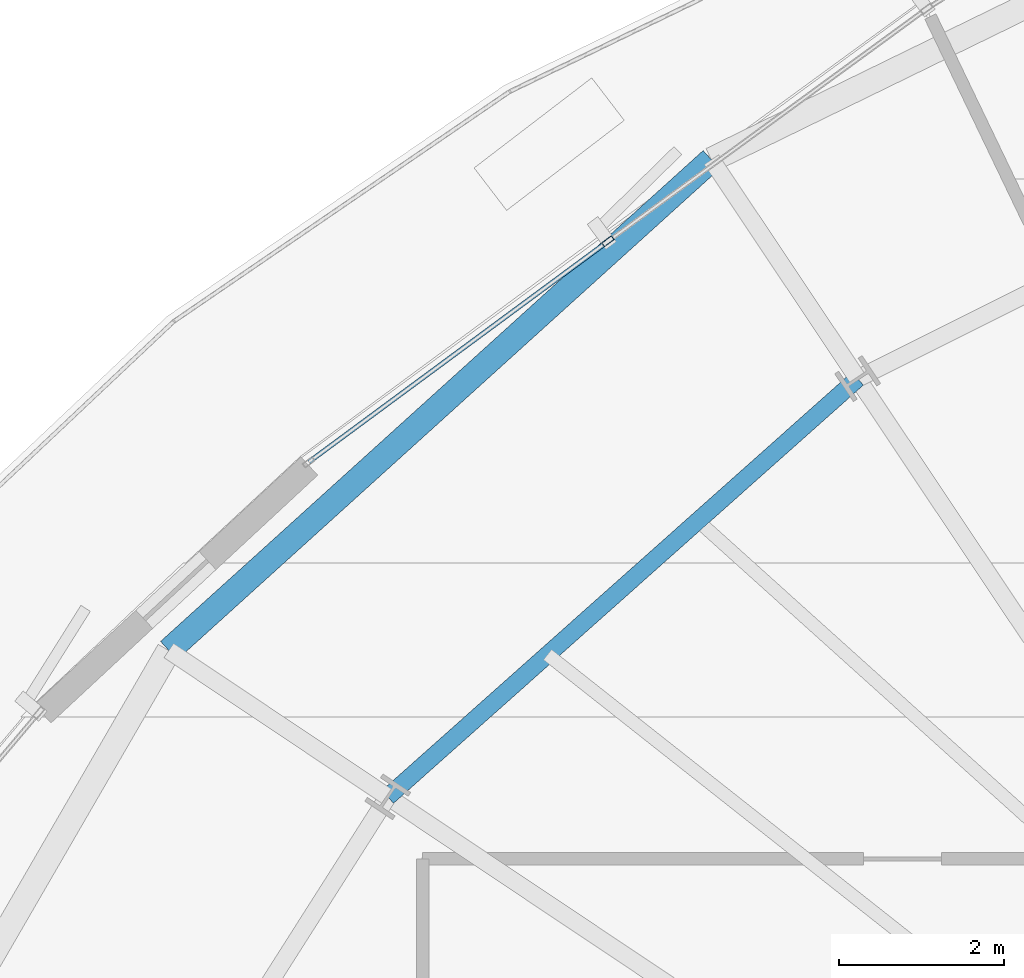
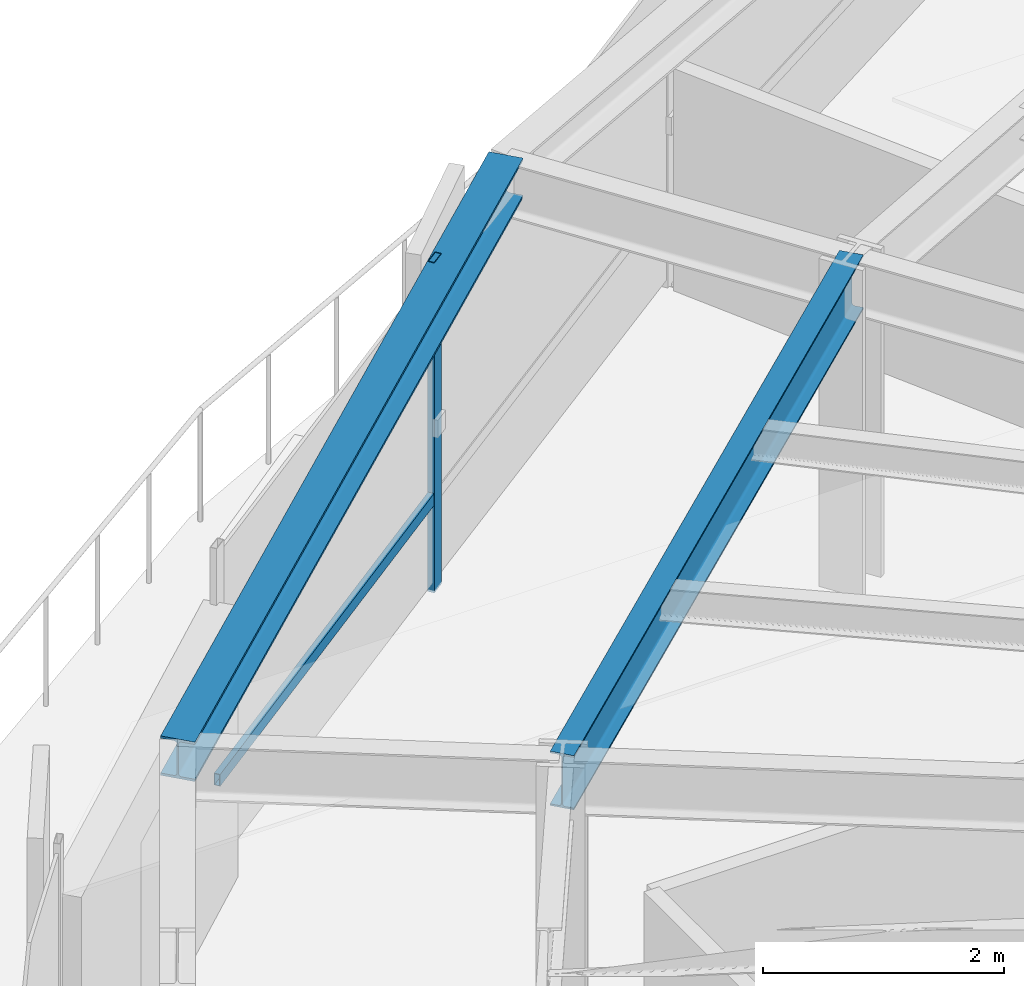
# One storey, part 19 of 35: 2 beams, 2 members, 1 element without a shape of its own.
"""IFC4 building model written with IfcOpenShell, lengths in metres."""

from ifc_helpers import new_model, si_unit, direction, frame, origin, origin_2d, place, context, subcontext, project, spatial, hollow_rectangle, i_section, extrude, source, transform, mapped, material, layer, layer_set, material_profile, profile_set, type_object, element, aggregate, save


model = new_model("IFC4")

# Units and contexts
model_context = context("Model", 3, precision=1e-05, world=origin(), true_north=direction((0.0, 1.0)))
body_context = subcontext(model_context, "Body", "Model", "MODEL_VIEW")
ifc_project = project(units=[si_unit("LENGTHUNIT", "METRE"), si_unit("AREAUNIT", "SQUARE_METRE"), si_unit("VOLUMEUNIT", "CUBIC_METRE"), si_unit("PLANEANGLEUNIT", "RADIAN"), si_unit("MASSUNIT", "GRAM", prefix="KILO"), si_unit("THERMODYNAMICTEMPERATUREUNIT", "KELVIN")], contexts=[model_context])

# Site, building, storey
site_placement = place(None, origin())
site = spatial("IfcSite", under=ifc_project, at=site_placement, CompositionType="ELEMENT")
building_placement = place(site_placement, origin())
building = spatial("IfcBuilding", under=site, at=building_placement, Name="Kethvar Cultural Tower", CompositionType="ELEMENT")
storey_placement = place(building_placement, frame((0.0, 0.0, 89.199951171875)))
storey = spatial("IfcBuildingStorey", under=building, at=storey_placement, Name="L21", CompositionType="ELEMENT", Elevation=89.199951171875)

# Beams
ifc_material_1 = material(Name="Steel S355J2", Category="steel")
ifc_material_profile_1 = material_profile(ifc_material_1, i_section(OverallWidth=0.2099609375, OverallDepth=0.550048828125, WebThickness=0.010986328125, FlangeThickness=0.01708984375, FilletRadius=0.02392578125, at=origin_2d()), Name="Steel S355J2 — IPE550")
ifc_profile_set_1 = profile_set([ifc_material_profile_1], Name="Steel S355J2 — IPE550")
beam_type_1 = type_object("IfcBeamType", Name="BM-IPE550", PredefinedType="BEAM", material=ifc_profile_set_1)
shared_shape_1 = source(origin(), body_context, "Body", "SweptSolid", [
    extrude(i_section(OverallWidth=0.2099609375, OverallDepth=0.550048828125, WebThickness=0.010986328125, FlangeThickness=0.01708984375, FilletRadius=0.02392578125, at=origin_2d()), origin(), (0.0, 0.0, 1.0), 7.64599609375),
])
beam_1_placement = place(storey_placement, frame((36.0576171875, 43.877197265625, 3.072998046875), z_axis=(-0.747021617367, -0.66479974668, 0.0), x_axis=(0.66479974668, -0.747021617367, 0.0)))
element("IfcBeam", 1, at=beam_1_placement, inside=storey, type_object=beam_type_1, Name="L21 Column Ring Tie Beam CR-06", PredefinedType="BEAM", context=body_context, shape_type="MappedRepresentation", body=[
    mapped(shared_shape_1, transform((0.0, 0.0, 0.0), scale=1.0)),
])
ifc_material_profile_2 = material_profile(ifc_material_1, i_section(OverallWidth=0.300048828125, OverallDepth=0.39990234375, WebThickness=0.013427734375, FlangeThickness=0.02392578125, FilletRadius=0.027099609375, at=origin_2d()), Name="Steel S355J2 — HEB400")
ifc_profile_set_2 = profile_set([ifc_material_profile_2], Name="Steel S355J2 — HEB400")
beam_type_2 = type_object("IfcBeamType", Name="BM-SP400", PredefinedType="SPANDREL", material=ifc_profile_set_2)
shared_shape_2 = source(origin(), body_context, "Body", "SweptSolid", [
    extrude(i_section(OverallWidth=0.300048828125, OverallDepth=0.39990234375, WebThickness=0.013427734375, FlangeThickness=0.02392578125, FilletRadius=0.027099609375, at=origin_2d()), origin(), (0.0, 0.0, 1.0), 8.892822265625),
])
beam_2_placement = place(storey_placement, frame((34.27978515625, 46.5380859375, 3.14794921875), z_axis=(-0.741556591679, -0.670890319901, 0.0), x_axis=(0.670890319901, -0.741556591679, 0.0)))
element("IfcBeam", 2, at=beam_2_placement, inside=storey, type_object=beam_type_2, Name="L21 Perimeter Spandrel Beam SP-06", PredefinedType="SPANDREL", context=body_context, shape_type="MappedRepresentation", body=[
    mapped(shared_shape_2, transform((0.0, 0.0, 0.0), scale=1.0)),
])

# Curtain wall, members
ifc_material_2 = material(Name="Aluminium 6063-T6", Category="aluminium")
ifc_layer = layer(ifc_material_2, 0.179931640625, Name="Aluminium 6063-T6", Category="aluminium")
ifc_layer_set = layer_set([ifc_layer], Name="Aluminium 6063-T6 (180 mm)")
curtain_wall_type = type_object("IfcCurtainWallType", Name="CW-SYS-03-Z2", PredefinedType="NOTDEFINED", material=ifc_layer_set)
curtain_wall_placement = place(storey_placement, origin())
curtain_wall = element("IfcCurtainWall", 3, at=curtain_wall_placement, inside=storey, type_object=curtain_wall_type, Name="L21 Curtain Wall Run 02", PredefinedType="NOTDEFINED")
ifc_material_profile_3 = material_profile(ifc_material_2, hollow_rectangle(XDim=0.06005859375, YDim=0.14990234375, WallThickness=0.0048828125, at=origin_2d()), Name="Aluminium 6063-T6 — RHS150x60x5")
ifc_profile_set_3 = profile_set([ifc_material_profile_3], Name="Aluminium 6063-T6 — RHS150x60x5")
member_type_1 = type_object("IfcMemberType", Name="CW-SYS-03-Z2-MUL", PredefinedType="MULLION", material=ifc_profile_set_3)
shared_shape_3 = source(origin(), body_context, "Body", "SweptSolid", [
    extrude(hollow_rectangle(XDim=0.06005859375, YDim=0.14990234375, WallThickness=0.0048828125, at=origin_2d()), origin(), (0.0, 0.0, 1.0), 3.35009765625),
])
member_1_placement = place(storey_placement, frame((33.022216796875, 45.546142578125, 0.0), z_axis=(0.0, 0.0, 1.0), x_axis=(0.593643632213, -0.80472805216, 0.0)))
member_1 = element("IfcMember", 4, at=member_1_placement, type_object=member_type_1, Name="CW-L21-R02 Mullion 6", PredefinedType="MULLION", context=body_context, shape_type="MappedRepresentation", body=[
    mapped(shared_shape_3, transform((0.0, 0.0, 0.0), scale=1.0)),
])
ifc_material_profile_4 = material_profile(ifc_material_2, hollow_rectangle(XDim=0.054931640625, YDim=0.1201171875, WallThickness=0.00390625, at=origin_2d()), Name="Aluminium 6063-T6 — RHS120x55x4")
ifc_profile_set_4 = profile_set([ifc_material_profile_4], Name="Aluminium 6063-T6 — RHS120x55x4")
member_type_2 = type_object("IfcMemberType", Name="CW-SYS-03-Z2-TRN", PredefinedType="USERDEFINED", material=ifc_profile_set_4)
shared_shape_4 = source(origin(), body_context, "Body", "SweptSolid", [
    extrude(hollow_rectangle(XDim=0.054931640625, YDim=0.1201171875, WallThickness=0.00390625, at=origin_2d()), origin(), (0.0, 0.0, 1.0), 4.474853515625),
])
member_2_placement = place(storey_placement, frame((32.987548828125, 45.5205078125, 0.949951171875), z_axis=(-0.804727975711, -0.593643735845, 0.0), x_axis=(0.593643735845, -0.804727975711, 0.0)))
member_2 = element("IfcMember", 5, at=member_2_placement, type_object=member_type_2, Name="CW-L21-R02 Transom 6", ObjectType="TRANSOM", PredefinedType="USERDEFINED", context=body_context, shape_type="MappedRepresentation", body=[
    mapped(shared_shape_4, transform((0.0, 0.0, 0.0), scale=1.0)),
])
aggregate(curtain_wall, [member_1, member_2])

save(model, "model.ifc")
